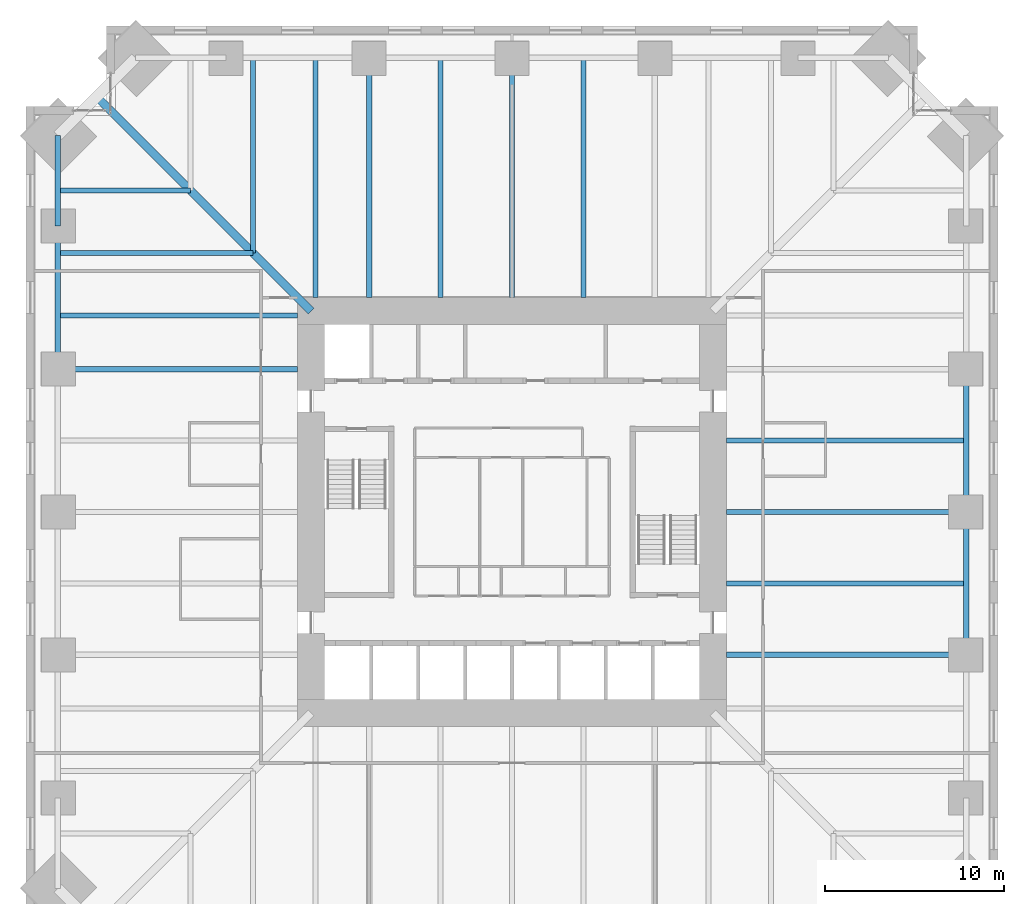
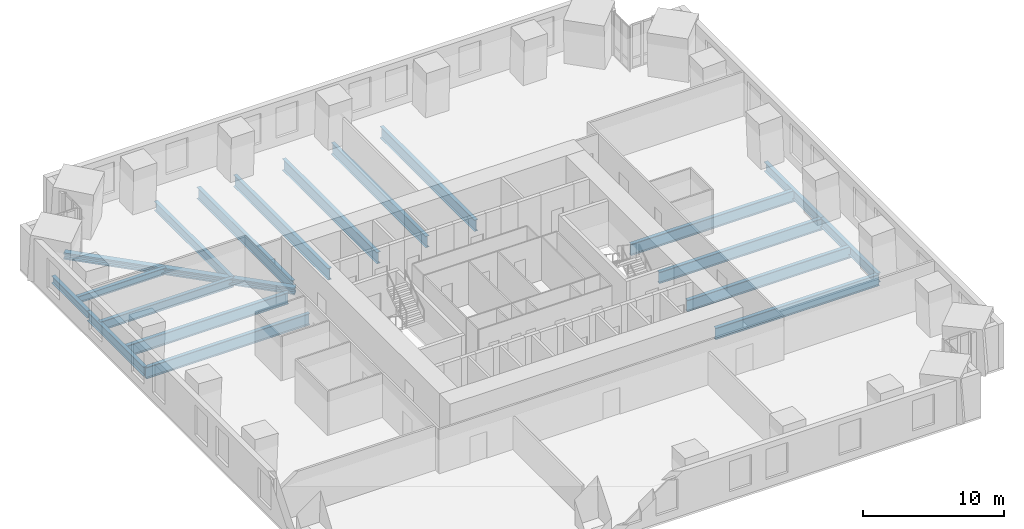
# One storey, part 5 of 16: 19 beams.
"""IFC4 building model written with IfcOpenShell, lengths in metres."""

from ifc_helpers import new_model, si_unit, direction, frame, origin, origin_2d, place, context, subcontext, project, spatial, i_section, extrude, material, material_profile, profile_set, type_object, element, save


model = new_model("IFC4")

# Units and contexts
model_context = context("Model", 3, precision=1e-05, world=origin(), true_north=direction((0.0, 1.0)))
body_context = subcontext(model_context, "Body", "Model", "MODEL_VIEW")
ifc_project = project(units=[si_unit("LENGTHUNIT", "METRE"), si_unit("AREAUNIT", "SQUARE_METRE"), si_unit("VOLUMEUNIT", "CUBIC_METRE"), si_unit("PLANEANGLEUNIT", "RADIAN"), si_unit("MASSUNIT", "GRAM", prefix="KILO")], contexts=[model_context])

# Site, building, storey
site_placement = place(None, origin())
site = spatial("IfcSite", under=ifc_project, at=site_placement, CompositionType="ELEMENT")
building_placement = place(site_placement, origin())
building = spatial("IfcBuilding", under=site, at=building_placement, Name="Peilmerk Tower", CompositionType="ELEMENT")
storey_placement = place(building_placement, frame((0.0, 0.0, 135.800048828125)))
storey = spatial("IfcBuildingStorey", under=building, at=storey_placement, Name="L27", CompositionType="ELEMENT", Elevation=135.800048828125)

# Beams
ifc_material_1 = material(Name="Steel S355", Category="steel")
ifc_material_profile_1 = material_profile(ifc_material_1, i_section(OverallWidth=0.302978515625, OverallDepth=0.81396484375, WebThickness=0.02099609375, FlangeThickness=0.0400390625, at=origin_2d()), Name="HEM 800")
ifc_profile_set_1 = profile_set([ifc_material_profile_1], Name="Steel S355")
beam_type_1 = type_object("IfcBeamType", Name="B15 HEM 800 edge beam", PredefinedType="SPANDREL", material=ifc_profile_set_1)
for number, where, z_axis, x_axis, name in (
    (1, (25.4208984375, -8.0, -0.5771484375), (0.0, 1.0, 0.0), (-1.0, 0.0, 0.0), "Edge beam L27"),
    (2, (25.4208984375, 0.0, -0.5771484375), (0.0, 1.0, 0.0), (-1.0, 0.0, 0.0), "Edge beam L27"),
    (3, (-25.4208984375, 16.0, -0.5771484375), (0.0, -1.0, 0.0), (1.0, 0.0, 0.0), "Edge beam L27"),
):
    element("IfcBeam", number, at=place(storey_placement, frame(where, z_axis=z_axis, x_axis=x_axis)), inside=storey, type_object=beam_type_1, Name=name, PredefinedType="SPANDREL", context=body_context, shape_type="SweptSolid", body=[
        extrude(i_section(OverallWidth=0.302978515625, OverallDepth=0.81396484375, WebThickness=0.02099609375, FlangeThickness=0.0400390625, at=origin_2d()), origin(), (0.0, 0.0, 1.0), 8.0),
    ])
ifc_material_profile_2 = material_profile(ifc_material_1, i_section(OverallWidth=0.300048828125, OverallDepth=0.590087890625, WebThickness=0.012939453125, FlangeThickness=0.02490234375, at=origin_2d()), Name="HEA 600")
ifc_profile_set_2 = profile_set([ifc_material_profile_2], Name="Steel S355")
beam_type_2 = type_object("IfcBeamType", Name="B27 HEA 600 floor beam", PredefinedType="BEAM", material=ifc_profile_set_2)
beam_1_placement = place(storey_placement, frame((-18.0, 18.0, -0.465087890625), z_axis=(-1.0, 0.0, 0.0), x_axis=(0.0, -1.0, 0.0)))
element("IfcBeam", 4, at=beam_1_placement, inside=storey, type_object=beam_type_2, Name="Floor beam L27", PredefinedType="BEAM", context=body_context, shape_type="SweptSolid", body=[
    extrude(i_section(OverallWidth=0.300048828125, OverallDepth=0.590087890625, WebThickness=0.012939453125, FlangeThickness=0.02490234375, at=origin_2d()), origin(), (0.0, 0.0, 1.0), 7.4208984375),
])
ifc_material_profile_3 = material_profile(ifc_material_1, i_section(OverallWidth=0.300048828125, OverallDepth=0.7900390625, WebThickness=0.014892578125, FlangeThickness=0.028076171875, at=origin_2d()), Name="HEA 800")
ifc_profile_set_3 = profile_set([ifc_material_profile_3], Name="Steel S355")
beam_type_3 = type_object("IfcBeamType", Name="B3 HEA 800 floor beam", PredefinedType="BEAM", material=ifc_profile_set_3)
for number, where, z_axis, x_axis, name in (
    (5, (-14.5, 14.5, -0.56494140625), (0.0, 1.0, 0.0), (-1.0, 0.0, 0.0), "Floor beam L27"),
    (6, (-14.5, 14.5, -0.56494140625), (-1.0, 0.0, 0.0), (0.0, -1.0, 0.0), "Floor beam L27"),
):
    element("IfcBeam", number, at=place(storey_placement, frame(where, z_axis=z_axis, x_axis=x_axis)), inside=storey, type_object=beam_type_3, Name=name, PredefinedType="BEAM", context=body_context, shape_type="SweptSolid", body=[
        extrude(i_section(OverallWidth=0.300048828125, OverallDepth=0.7900390625, WebThickness=0.014892578125, FlangeThickness=0.028076171875, at=origin_2d()), origin(), (0.0, 0.0, 1.0), 10.9208984375),
    ])
ifc_material_profile_4 = material_profile(ifc_material_1, i_section(OverallWidth=0.304931640625, OverallDepth=0.6201171875, WebThickness=0.02099609375, FlangeThickness=0.0400390625, at=origin_2d()), Name="HEM 600")
ifc_profile_set_4 = profile_set([ifc_material_profile_4], Name="Steel S355")
beam_type_4 = type_object("IfcBeamType", Name="B31 HEM 600 edge beam", PredefinedType="SPANDREL", material=ifc_profile_set_4)
beam_2_placement = place(storey_placement, frame((-25.4208984375, 21.071044921875, -0.47998046875), z_axis=(0.0, -1.0, 0.0), x_axis=(1.0, 0.0, 0.0)))
element("IfcBeam", 7, at=beam_2_placement, inside=storey, type_object=beam_type_4, Name="Edge beam L27", PredefinedType="SPANDREL", context=body_context, shape_type="SweptSolid", body=[
    extrude(i_section(OverallWidth=0.304931640625, OverallDepth=0.6201171875, WebThickness=0.02099609375, FlangeThickness=0.0400390625, at=origin_2d()), origin(), (0.0, 0.0, 1.0), 5.071044921875),
])
ifc_material_profile_5 = material_profile(ifc_material_1, i_section(OverallWidth=0.300048828125, OverallDepth=1.0, WebThickness=0.01904296875, FlangeThickness=0.035888671875, at=origin_2d()), Name="HEB 1000")
ifc_profile_set_5 = profile_set([ifc_material_profile_5], Name="Steel S355")
beam_type_5 = type_object("IfcBeamType", Name="B5 HEB 1000 floor girder", PredefinedType="BEAM", material=ifc_profile_set_5)
for number, where, z_axis, x_axis, name in (
    (8, (4.0, 12.0, -0.670166015625), (0.0, 1.0, 0.0), (-1.0, 0.0, 0.0), "Floor beam L27"),
    (9, (0.0, 12.0, -0.670166015625), (0.0, 1.0, 0.0), (-1.0, 0.0, 0.0), "Floor beam L27"),
    (10, (-4.0, 12.0, -0.670166015625), (0.0, 1.0, 0.0), (-1.0, 0.0, 0.0), "Floor beam L27"),
    (11, (-8.0, 12.0, -0.670166015625), (0.0, 1.0, 0.0), (-1.0, 0.0, 0.0), "Floor beam L27"),
    (12, (-11.0, 12.0, -0.670166015625), (0.0, 1.0, 0.0), (-1.0, 0.0, 0.0), "Floor beam L27"),
    (13, (12.0, -8.0, -0.670166015625), (1.0, 0.0, 0.0), (0.0, 1.0, 0.0), "Floor beam L27"),
    (14, (12.0, -4.0, -0.670166015625), (1.0, 0.0, 0.0), (0.0, 1.0, 0.0), "Floor beam L27"),
    (15, (12.0, 0.0, -0.670166015625), (1.0, 0.0, 0.0), (0.0, 1.0, 0.0), "Floor beam L27"),
    (16, (12.0, 4.0, -0.670166015625), (1.0, 0.0, 0.0), (0.0, 1.0, 0.0), "Floor beam L27"),
    (17, (-12.0, 11.0, -0.670166015625), (-1.0, 0.0, 0.0), (0.0, -1.0, 0.0), "Floor beam L27"),
    (18, (-12.0, 8.0, -0.670166015625), (-1.0, 0.0, 0.0), (0.0, -1.0, 0.0), "Floor beam L27"),
):
    element("IfcBeam", number, at=place(storey_placement, frame(where, z_axis=z_axis, x_axis=x_axis)), inside=storey, type_object=beam_type_5, Name=name, PredefinedType="BEAM", context=body_context, shape_type="SweptSolid", body=[
        extrude(i_section(OverallWidth=0.300048828125, OverallDepth=1.0, WebThickness=0.01904296875, FlangeThickness=0.035888671875, at=origin_2d()), origin(), (0.0, 0.0, 1.0), 13.4208984375),
    ])
ifc_material_2 = material(Name="Steel S460", Category="steel")
ifc_material_profile_6 = material_profile(ifc_material_2, i_section(OverallWidth=0.4541015625, OverallDepth=0.569091796875, WebThickness=0.077880859375, FlangeThickness=0.125, at=origin_2d()), Name="HD 400x1086")
ifc_profile_set_6 = profile_set([ifc_material_profile_6], Name="Steel S460")
beam_type_6 = type_object("IfcBeamType", Name="B9 HD 400x1086 corner girder", PredefinedType="BEAM", material=ifc_profile_set_6)
beam_3_placement = place(storey_placement, frame((-11.25, 11.25, -0.45458984375), z_axis=(-0.707106781187, 0.707106781187, 0.0), x_axis=(-0.707106781187, -0.707106781187, 0.0)))
element("IfcBeam", 19, at=beam_3_placement, inside=storey, type_object=beam_type_6, Name="Corner girder L27", PredefinedType="BEAM", context=body_context, shape_type="SweptSolid", body=[
    extrude(i_section(OverallWidth=0.4541015625, OverallDepth=0.569091796875, WebThickness=0.077880859375, FlangeThickness=0.125, at=origin_2d()), origin(), (0.0, 0.0, 1.0), 16.964599609375),
])

save(model, "model.ifc")
